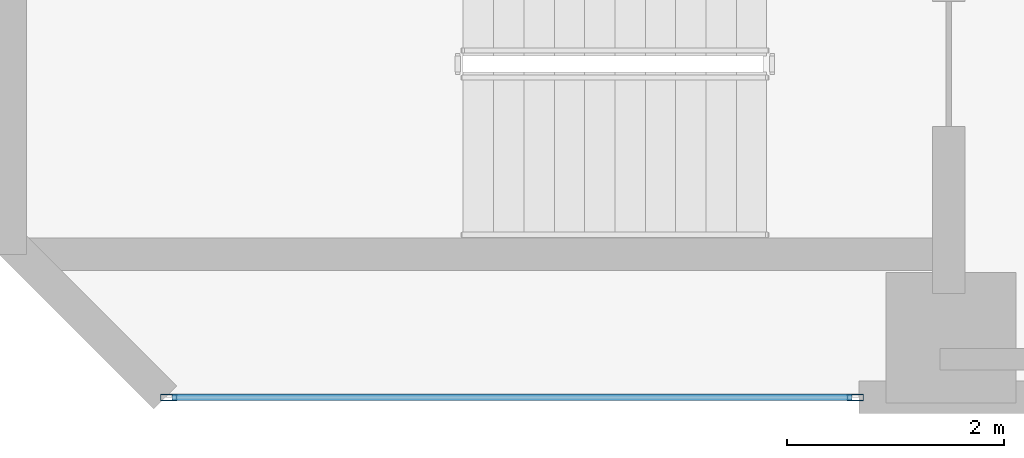
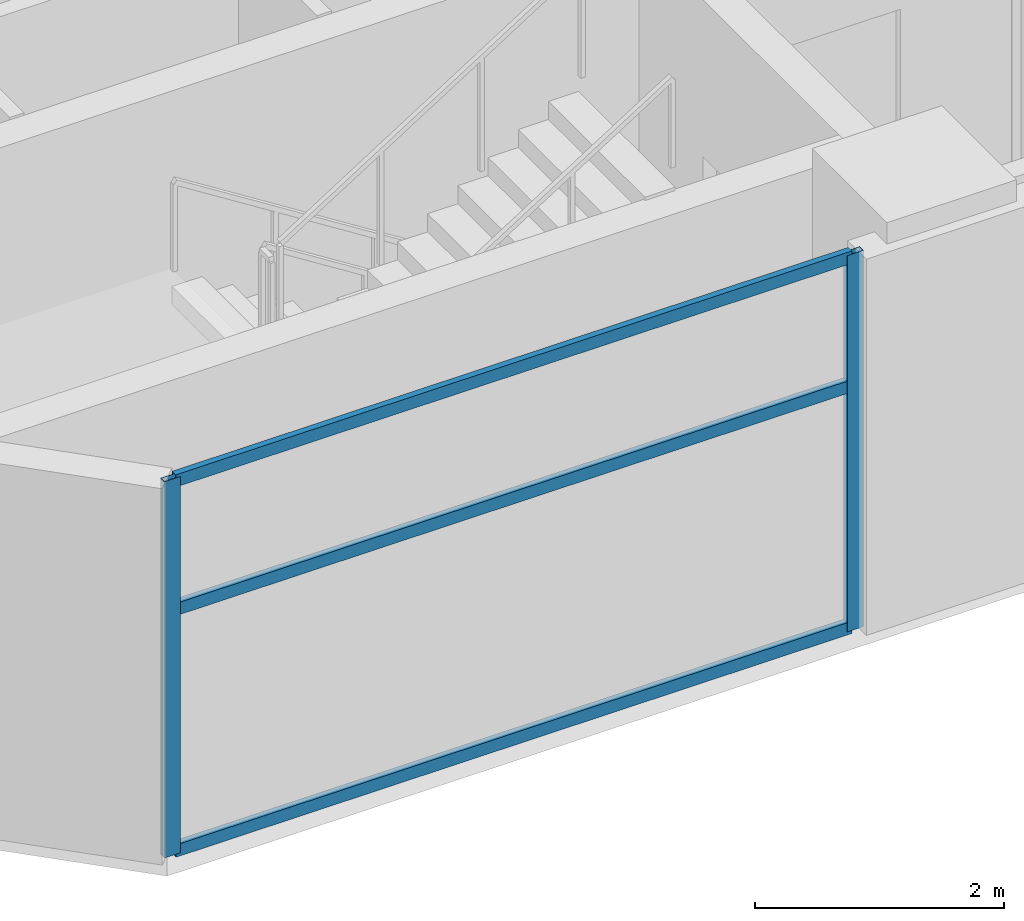
# One storey, part 2 of 15: 5 members, 1 element without a shape of its own.
"""IFC4 building model written with IfcOpenShell, lengths in metres."""

import ifcopenshell
import ifcopenshell.guid

model = None  # the IFC model being written
_history = None  # IfcOwnerHistory: only IFC2X3 demands one
_inside = {}  # id of a spatial element -> (the spatial element, [elements in it])
_under = {}  # id of a project, library or spatial element -> (it, [spatial elements below it])
_declared = {}  # id of a project -> (the project, [libraries it declares])
_typed = {}  # id of a type object -> (the type object, [elements of that type])
_made_of = {}  # id of a material, layer set ... -> (it, [elements and type objects made of it])


def new_model(schema):
    """Start an empty IFC model of exactly this schema.

    Asked for "IFC4X3", IfcOpenShell would pick the latest addendum, in which some entities
    have other attributes; the version numbers below select the first issue.
    IFC2X3 requires an IfcOwnerHistory on every rooted entity: one is made here for all.
    """
    global model, _history
    if schema == "IFC4X3":
        model = ifcopenshell.file(schema_version=(4, 3, 0, 0))
    else:
        model = ifcopenshell.file(schema=schema)
    _inside.clear()
    _under.clear()
    _declared.clear()
    _typed.clear()
    _made_of.clear()
    _history = None
    if model.schema == "IFC2X3":
        org = make("IfcOrganization", Name="unknown")
        user = make(
            "IfcPersonAndOrganization",
            ThePerson=make("IfcPerson", FamilyName="unknown"),
            TheOrganization=org,
        )
        app = make(
            "IfcApplication",
            ApplicationDeveloper=org,
            Version="unknown",
            ApplicationFullName="unknown",
            ApplicationIdentifier="unknown",
        )
        _history = make(
            "IfcOwnerHistory",
            OwningUser=user,
            OwningApplication=app,
            ChangeAction="ADDED",
            CreationDate=0,
        )
    return model


def make(cls, **values):
    """One entity of the class cls with the attributes given. An attribute that is None is left unset."""
    return model.create_entity(
        cls, **{name: value for name, value in values.items() if value is not None}
    )


def rooted(cls, **values):
    """An entity with a GlobalId (a new one), such as an element, a storey or a relation."""
    return make(cls, GlobalId=ifcopenshell.guid.new(), OwnerHistory=_history, **values)


def si_unit(unit_type, name, prefix=None):
    """IfcSIUnit, for example si_unit("LENGTHUNIT", "METRE", prefix="MILLI")."""
    return make("IfcSIUnit", UnitType=unit_type, Prefix=prefix, Name=name)


def assignment(units):
    """IfcUnitAssignment: the units of a project."""
    return None if units is None else make("IfcUnitAssignment", Units=units)


def point(xyz):
    """IfcCartesianPoint."""
    return None if xyz is None else make("IfcCartesianPoint", Coordinates=xyz)


def direction(xyz):
    """IfcDirection."""
    return None if xyz is None else make("IfcDirection", DirectionRatios=xyz)


def frame(location, z_axis=None, x_axis=None):
    """IfcAxis2Placement3D, a coordinate frame: its origin and axes. An axis left out is left unset."""
    return make(
        "IfcAxis2Placement3D",
        Location=point(location),
        Axis=direction(z_axis),
        RefDirection=direction(x_axis),
    )


def frame_2d(location, x_axis=None):
    """IfcAxis2Placement2D, a coordinate frame in the plane: its origin and x axis."""
    return make(
        "IfcAxis2Placement2D", Location=point(location), RefDirection=direction(x_axis)
    )


def origin():
    """The frame at (0, 0, 0) with its axes left unset."""
    return frame((0.0, 0.0, 0.0))


def origin_2d():
    """The frame at (0, 0) in the plane with its x axis left unset."""
    return frame_2d((0.0, 0.0))


def place(relative_to, where):
    """IfcLocalPlacement: puts the frame where relative to a parent placement (None: the world)."""
    return make(
        "IfcLocalPlacement", PlacementRelTo=relative_to, RelativePlacement=where
    )


def context(
    kind, dimensions, precision=None, world=None, true_north=None, identifier=None
):
    """IfcGeometricRepresentationContext, for example the 3D "Model" context."""
    return make(
        "IfcGeometricRepresentationContext",
        ContextIdentifier=identifier,
        ContextType=kind,
        CoordinateSpaceDimension=dimensions,
        Precision=precision,
        WorldCoordinateSystem=world,
        TrueNorth=true_north,
    )


def subcontext(parent, identifier, kind, view, scale=None):
    """IfcGeometricRepresentationSubContext, for example "Body" below "Model"."""
    return make(
        "IfcGeometricRepresentationSubContext",
        ContextIdentifier=identifier,
        ContextType=kind,
        ParentContext=parent,
        TargetScale=scale,
        TargetView=view,
    )


def project(units=None, contexts=None):
    """IfcProject with its units and contexts."""
    return rooted(
        "IfcProject",
        Name="project",
        RepresentationContexts=contexts,
        UnitsInContext=assignment(units),
    )


def spatial(cls, under=None, at=None, **own):
    """A site, building, storey or space (cls), placed at a placement, below another one or the project."""
    s = rooted(cls, ObjectPlacement=at, **own)
    if under is not None:
        _under.setdefault(under.id(), (under, []))[1].append(s)
    return s


def profile(cls, at=None, kind="AREA", **sizes):
    """A parametric profile (cls). Its sizes go by their IFC names, for example OverallWidth=200.0."""
    return make(cls, ProfileType=kind, Position=at, **sizes)


def hollow_rectangle(**sizes):
    """IfcRectangleHollowProfileDef."""
    return profile("IfcRectangleHollowProfileDef", **sizes)


def extrude(swept, where, along, depth):
    """IfcExtrudedAreaSolid: the profile swept, set in the frame where, extruded along a direction by depth."""
    return make(
        "IfcExtrudedAreaSolid",
        SweptArea=swept,
        Position=where,
        ExtrudedDirection=direction(along),
        Depth=depth,
    )


def shape(context_of_items, identifier, shape_type, items):
    """IfcShapeRepresentation: the items that make up one representation, for example the "Body"."""
    return make(
        "IfcShapeRepresentation",
        ContextOfItems=context_of_items,
        RepresentationIdentifier=identifier,
        RepresentationType=shape_type,
        Items=items,
    )


def material(Name=None, Category=None):
    """IfcMaterial."""
    return make("IfcMaterial", Name=Name, Category=Category)


def layer(
    of_material, thickness, ventilated=None, Name=None, Category=None, Priority=None
):
    """IfcMaterialLayer: one layer of a wall or slab, of a material (None: an air gap)."""
    return make(
        "IfcMaterialLayer",
        Material=of_material,
        LayerThickness=thickness,
        IsVentilated=ventilated,
        Name=Name,
        Category=Category,
        Priority=Priority,
    )


def layer_set(layers, Name=None):
    """IfcMaterialLayerSet."""
    return make("IfcMaterialLayerSet", MaterialLayers=layers, LayerSetName=Name)


def material_profile(
    of_material, cross_section, Name=None, Category=None, Priority=None
):
    """IfcMaterialProfile: a cross section and its material."""
    return make(
        "IfcMaterialProfile",
        Name=Name,
        Material=of_material,
        Profile=cross_section,
        Priority=Priority,
        Category=Category,
    )


def profile_set(profiles, Name=None, composite=None):
    """IfcMaterialProfileSet."""
    return make(
        "IfcMaterialProfileSet",
        Name=Name,
        MaterialProfiles=profiles,
        CompositeProfile=composite,
    )


def made_of(thing, what):
    """Note that an element or type object is made of a material, layer set ...; save() writes the relation."""
    if what is not None:
        _made_of.setdefault(what.id(), (what, []))[1].append(thing)
    return thing


def type_object(cls, material=None, **own):
    """A type object (cls), such as IfcWallType, which elements share."""
    return made_of(rooted(cls, **own), material)


def element(
    cls,
    number,
    at=None,
    inside=None,
    cuts=None,
    type_object=None,
    material=None,
    context=None,
    identifier="Body",
    shape_type=None,
    held_by="IfcProductDefinitionShape",
    body=None,
    shapes=None,
    **own,
):
    """One element of the class cls, such as IfcWall. Its Tag is "e" and its number.

    at: its placement. inside: the storey or other place that contains it. cuts: it is an
    opening in that element (IfcRelVoidsElement). A single representation is given by context,
    identifier, shape_type and body (its items); several are given by shapes. held_by: the class
    of the entity that holds the representations. save() writes the other relations.
    """
    e = rooted(cls, Tag="e%d" % number, ObjectPlacement=at, **own)
    if body is not None:
        shapes = [shape(context, identifier, shape_type, body)]
    if shapes is not None:
        e.Representation = make(held_by, Representations=shapes)
    if inside is not None:
        _inside.setdefault(inside.id(), (inside, []))[1].append(e)
    if cuts is not None:
        rooted(
            "IfcRelVoidsElement", RelatingBuildingElement=cuts, RelatedOpeningElement=e
        )
    if type_object is not None:
        _typed.setdefault(type_object.id(), (type_object, []))[1].append(e)
    return made_of(e, material)


def aggregate(whole, parts):
    """IfcRelAggregates: a whole, such as a stair, and the parts it consists of."""
    return rooted("IfcRelAggregates", RelatingObject=whole, RelatedObjects=parts)


def save(model, path):
    """Write the relations noted so far, then the file.

    IfcRelAggregates (storeys below a building ...), IfcRelContainedInSpatialStructure (elements
    in a storey), IfcRelDefinesByType, IfcRelAssociatesMaterial and IfcRelDeclares: one each for
    every whole, place, type object, material and project.
    """
    for whole, parts in _under.values():
        aggregate(whole, parts)
    for where, things in _inside.values():
        rooted(
            "IfcRelContainedInSpatialStructure",
            RelatedElements=things,
            RelatingStructure=where,
        )
    for kind, things in _typed.values():
        rooted("IfcRelDefinesByType", RelatedObjects=things, RelatingType=kind)
    for what, things in _made_of.values():
        rooted("IfcRelAssociatesMaterial", RelatedObjects=things, RelatingMaterial=what)
    for by, libraries in _declared.values():
        rooted("IfcRelDeclares", RelatingContext=by, RelatedDefinitions=libraries)
    model.write(path)


model = new_model("IFC4")

# Units and contexts
model_context = context("Model", 3, precision=1e-05, world=origin(), true_north=direction((0.0, 1.0)))
body_context = subcontext(model_context, "Body", "Model", "MODEL_VIEW")
ifc_project = project(units=[si_unit("LENGTHUNIT", "METRE"), si_unit("AREAUNIT", "SQUARE_METRE"), si_unit("VOLUMEUNIT", "CUBIC_METRE"), si_unit("PLANEANGLEUNIT", "RADIAN"), si_unit("MASSUNIT", "GRAM", prefix="KILO")], contexts=[model_context])

# Site, building, storey
site_placement = place(None, origin())
site = spatial("IfcSite", under=ifc_project, at=site_placement, CompositionType="ELEMENT")
building_placement = place(site_placement, origin())
building = spatial("IfcBuilding", under=site, at=building_placement, Name="Mawjaban Terraces University", CompositionType="ELEMENT")
storey_placement = place(building_placement, frame((0.0, 0.0, 142.39990234375)))
storey = spatial("IfcBuildingStorey", under=building, at=storey_placement, Name="L34", CompositionType="ELEMENT", Elevation=142.39990234375)

# Curtain wall, members
ifc_material_1 = material(Name="Anodised aluminium 6063-T6 and solar-control low-E glass", Category="aluminium")
ifc_layer = layer(ifc_material_1, 0.1650390625)
ifc_layer_set = layer_set([ifc_layer], Name="Anodised aluminium 6063-T6 and solar-control low-E glass")
curtain_wall_type = type_object("IfcCurtainWallType", Name="CWSystem_04_EastWing", PredefinedType="NOTDEFINED", material=ifc_layer_set)
curtain_wall_placement = place(storey_placement, origin())
curtain_wall = element("IfcCurtainWall", 1, at=curtain_wall_placement, inside=storey, type_object=curtain_wall_type, Name="L34 Curtain Wall CW-04 Run 1.1", PredefinedType="NOTDEFINED")
ifc_material_2 = material(Name="Anodised aluminium 6063-T6", Category="aluminium")
ifc_material_profile_1 = material_profile(ifc_material_2, hollow_rectangle(XDim=0.06005859375, YDim=0.14990234375, WallThickness=0.00390625, at=origin_2d()), Name="ALU150X60X4")
ifc_profile_set_1 = profile_set([ifc_material_profile_1], Name="Anodised aluminium 6063-T6")
member_type_1 = type_object("IfcMemberType", Name="Mullion_CW-04", PredefinedType="MULLION", material=ifc_profile_set_1)
member_1_placement = place(storey_placement, frame((24.532470703125, 0.0, 0.0), z_axis=(0.0, 0.0, 1.0), x_axis=(0.0, 1.0, 0.0)))
member_1 = element("IfcMember", 2, at=member_1_placement, type_object=member_type_1, Name="CW-04 mullion 1", PredefinedType="MULLION", context=body_context, shape_type="SweptSolid", body=[
    extrude(hollow_rectangle(XDim=0.06005859375, YDim=0.14990234375, WallThickness=0.00390625, at=origin_2d()), origin(), (0.0, 0.0, 1.0), 3.690185546875),
])
member_2_placement = place(storey_placement, frame((30.867431640625, 0.0, 0.0), z_axis=(0.0, 0.0, 1.0), x_axis=(0.0, 1.0, 0.0)))
member_2 = element("IfcMember", 3, at=member_2_placement, type_object=member_type_1, Name="CW-04 mullion 2", PredefinedType="MULLION", context=body_context, shape_type="SweptSolid", body=[
    extrude(hollow_rectangle(XDim=0.06005859375, YDim=0.14990234375, WallThickness=0.00390625, at=origin_2d()), origin(), (0.0, 0.0, 1.0), 3.690185546875),
])
ifc_material_profile_2 = material_profile(ifc_material_2, hollow_rectangle(XDim=0.06005859375, YDim=0.1201171875, WallThickness=0.00341796875, at=origin_2d()), Name="ALU120X60X3.5")
ifc_profile_set_2 = profile_set([ifc_material_profile_2], Name="Anodised aluminium 6063-T6")
member_type_2 = type_object("IfcMemberType", Name="Transom_CW-04", PredefinedType="NOTDEFINED", material=ifc_profile_set_2)
member_3_placement = place(storey_placement, frame((24.56494140625, 0.0, 0.030029296875), z_axis=(1.0, 0.0, 0.0), x_axis=(0.0, 1.0, 0.0)))
member_3 = element("IfcMember", 4, at=member_3_placement, type_object=member_type_2, Name="CW-04 transom 1.1", ObjectType="TRANSOM", PredefinedType="USERDEFINED", context=body_context, shape_type="SweptSolid", body=[
    extrude(hollow_rectangle(XDim=0.06005859375, YDim=0.1201171875, WallThickness=0.00341796875, at=origin_2d()), origin(), (0.0, 0.0, 1.0), 6.27001953125),
])
member_4_placement = place(storey_placement, frame((24.56494140625, 0.0, 2.398193359375), z_axis=(1.0, 0.0, 0.0), x_axis=(0.0, 1.0, 0.0)))
member_4 = element("IfcMember", 5, at=member_4_placement, type_object=member_type_2, Name="CW-04 transom 1.2", ObjectType="TRANSOM", PredefinedType="USERDEFINED", context=body_context, shape_type="SweptSolid", body=[
    extrude(hollow_rectangle(XDim=0.06005859375, YDim=0.1201171875, WallThickness=0.00341796875, at=origin_2d()), origin(), (0.0, 0.0, 1.0), 6.27001953125),
])
member_5_placement = place(storey_placement, frame((24.56494140625, 0.0, 3.66015625), z_axis=(1.0, 0.0, 0.0), x_axis=(0.0, 1.0, 0.0)))
member_5 = element("IfcMember", 6, at=member_5_placement, type_object=member_type_2, Name="CW-04 transom 1.3", ObjectType="TRANSOM", PredefinedType="USERDEFINED", context=body_context, shape_type="SweptSolid", body=[
    extrude(hollow_rectangle(XDim=0.06005859375, YDim=0.1201171875, WallThickness=0.00341796875, at=origin_2d()), origin(), (0.0, 0.0, 1.0), 6.27001953125),
])
aggregate(curtain_wall, [member_1, member_2, member_3, member_4, member_5])

save(model, "model.ifc")
